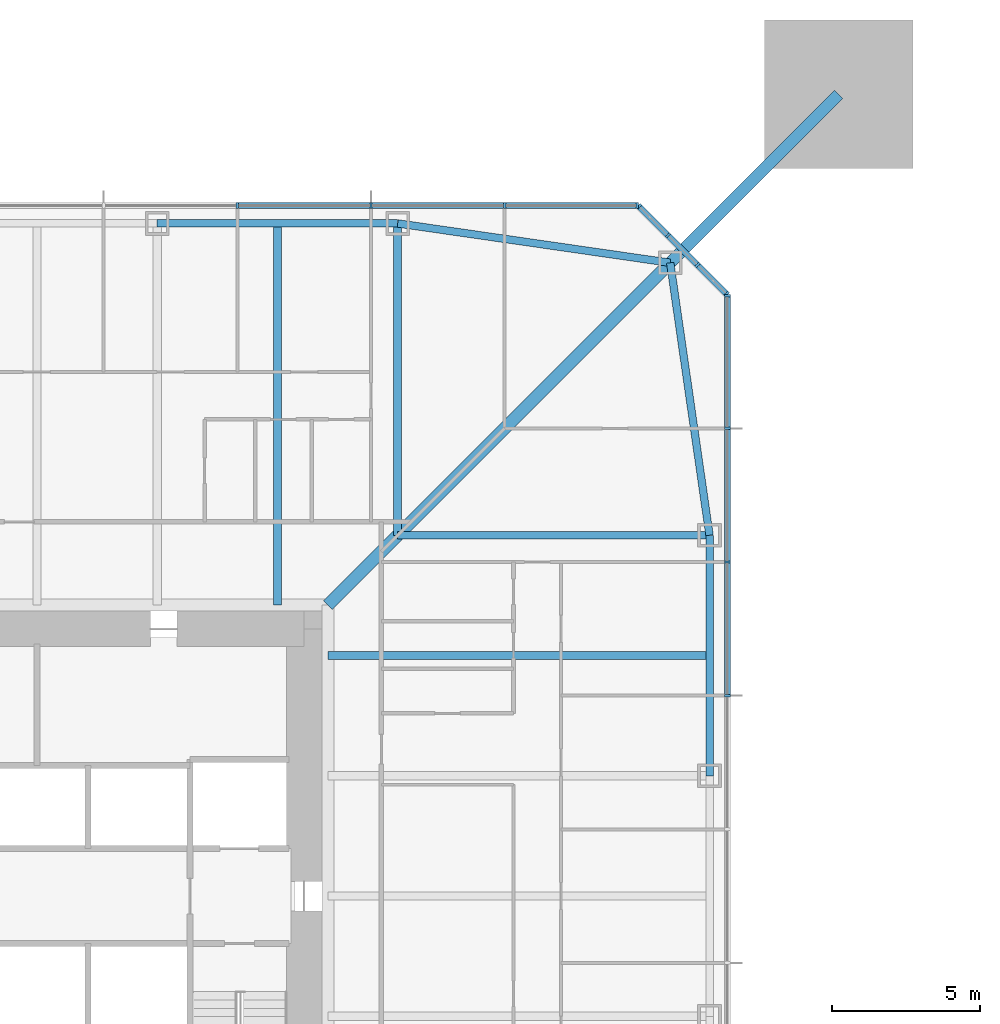
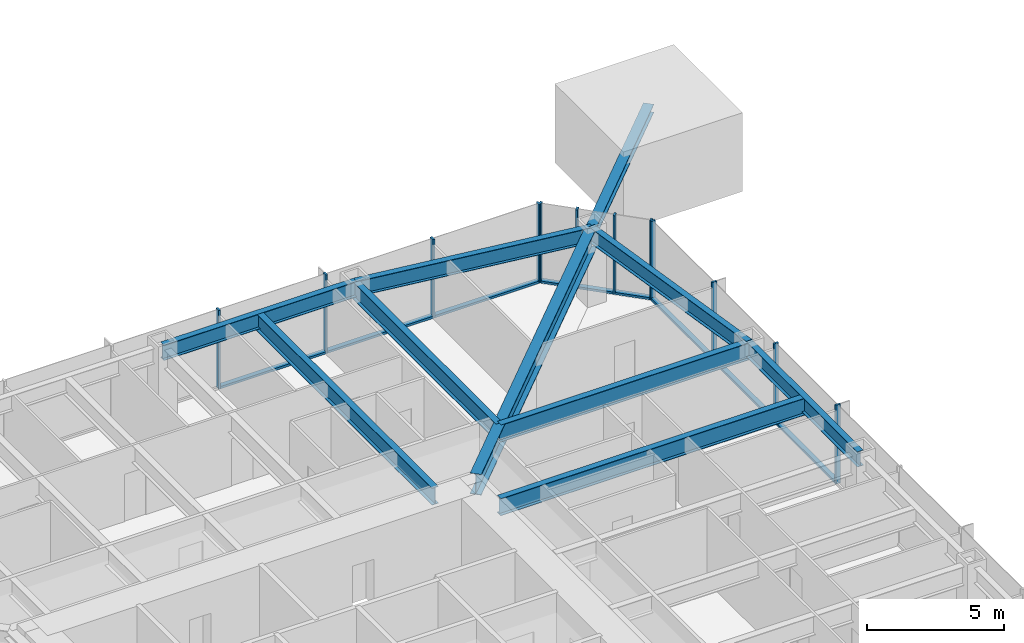
# One storey, part 7 of 26: 22 members, 9 beams, 3 elements without a shape of their own.
"""IFC4 building model written with IfcOpenShell, lengths in metres."""

import ifcopenshell
import ifcopenshell.guid

model = None  # the IFC model being written
_history = None  # IfcOwnerHistory: only IFC2X3 demands one
_inside = {}  # id of a spatial element -> (the spatial element, [elements in it])
_under = {}  # id of a project, library or spatial element -> (it, [spatial elements below it])
_declared = {}  # id of a project -> (the project, [libraries it declares])
_typed = {}  # id of a type object -> (the type object, [elements of that type])
_made_of = {}  # id of a material, layer set ... -> (it, [elements and type objects made of it])


def new_model(schema):
    """Start an empty IFC model of exactly this schema.

    Asked for "IFC4X3", IfcOpenShell would pick the latest addendum, in which some entities
    have other attributes; the version numbers below select the first issue.
    IFC2X3 requires an IfcOwnerHistory on every rooted entity: one is made here for all.
    """
    global model, _history
    if schema == "IFC4X3":
        model = ifcopenshell.file(schema_version=(4, 3, 0, 0))
    else:
        model = ifcopenshell.file(schema=schema)
    _inside.clear()
    _under.clear()
    _declared.clear()
    _typed.clear()
    _made_of.clear()
    _history = None
    if model.schema == "IFC2X3":
        org = make("IfcOrganization", Name="unknown")
        user = make(
            "IfcPersonAndOrganization",
            ThePerson=make("IfcPerson", FamilyName="unknown"),
            TheOrganization=org,
        )
        app = make(
            "IfcApplication",
            ApplicationDeveloper=org,
            Version="unknown",
            ApplicationFullName="unknown",
            ApplicationIdentifier="unknown",
        )
        _history = make(
            "IfcOwnerHistory",
            OwningUser=user,
            OwningApplication=app,
            ChangeAction="ADDED",
            CreationDate=0,
        )
    return model


def make(cls, **values):
    """One entity of the class cls with the attributes given. An attribute that is None is left unset."""
    return model.create_entity(
        cls, **{name: value for name, value in values.items() if value is not None}
    )


def rooted(cls, **values):
    """An entity with a GlobalId (a new one), such as an element, a storey or a relation."""
    return make(cls, GlobalId=ifcopenshell.guid.new(), OwnerHistory=_history, **values)


def si_unit(unit_type, name, prefix=None):
    """IfcSIUnit, for example si_unit("LENGTHUNIT", "METRE", prefix="MILLI")."""
    return make("IfcSIUnit", UnitType=unit_type, Prefix=prefix, Name=name)


def assignment(units):
    """IfcUnitAssignment: the units of a project."""
    return None if units is None else make("IfcUnitAssignment", Units=units)


def point(xyz):
    """IfcCartesianPoint."""
    return None if xyz is None else make("IfcCartesianPoint", Coordinates=xyz)


def direction(xyz):
    """IfcDirection."""
    return None if xyz is None else make("IfcDirection", DirectionRatios=xyz)


def frame(location, z_axis=None, x_axis=None):
    """IfcAxis2Placement3D, a coordinate frame: its origin and axes. An axis left out is left unset."""
    return make(
        "IfcAxis2Placement3D",
        Location=point(location),
        Axis=direction(z_axis),
        RefDirection=direction(x_axis),
    )


def frame_2d(location, x_axis=None):
    """IfcAxis2Placement2D, a coordinate frame in the plane: its origin and x axis."""
    return make(
        "IfcAxis2Placement2D", Location=point(location), RefDirection=direction(x_axis)
    )


def origin():
    """The frame at (0, 0, 0) with its axes left unset."""
    return frame((0.0, 0.0, 0.0))


def origin_2d():
    """The frame at (0, 0) in the plane with its x axis left unset."""
    return frame_2d((0.0, 0.0))


def place(relative_to, where):
    """IfcLocalPlacement: puts the frame where relative to a parent placement (None: the world)."""
    return make(
        "IfcLocalPlacement", PlacementRelTo=relative_to, RelativePlacement=where
    )


def context(
    kind, dimensions, precision=None, world=None, true_north=None, identifier=None
):
    """IfcGeometricRepresentationContext, for example the 3D "Model" context."""
    return make(
        "IfcGeometricRepresentationContext",
        ContextIdentifier=identifier,
        ContextType=kind,
        CoordinateSpaceDimension=dimensions,
        Precision=precision,
        WorldCoordinateSystem=world,
        TrueNorth=true_north,
    )


def subcontext(parent, identifier, kind, view, scale=None):
    """IfcGeometricRepresentationSubContext, for example "Body" below "Model"."""
    return make(
        "IfcGeometricRepresentationSubContext",
        ContextIdentifier=identifier,
        ContextType=kind,
        ParentContext=parent,
        TargetScale=scale,
        TargetView=view,
    )


def project(units=None, contexts=None):
    """IfcProject with its units and contexts."""
    return rooted(
        "IfcProject",
        Name="project",
        RepresentationContexts=contexts,
        UnitsInContext=assignment(units),
    )


def spatial(cls, under=None, at=None, **own):
    """A site, building, storey or space (cls), placed at a placement, below another one or the project."""
    s = rooted(cls, ObjectPlacement=at, **own)
    if under is not None:
        _under.setdefault(under.id(), (under, []))[1].append(s)
    return s


def profile(cls, at=None, kind="AREA", **sizes):
    """A parametric profile (cls). Its sizes go by their IFC names, for example OverallWidth=200.0."""
    return make(cls, ProfileType=kind, Position=at, **sizes)


def rectangle(**sizes):
    """IfcRectangleProfileDef."""
    return profile("IfcRectangleProfileDef", **sizes)


def i_section(**sizes):
    """IfcIShapeProfileDef."""
    return profile("IfcIShapeProfileDef", **sizes)


def extrude(swept, where, along, depth):
    """IfcExtrudedAreaSolid: the profile swept, set in the frame where, extruded along a direction by depth."""
    return make(
        "IfcExtrudedAreaSolid",
        SweptArea=swept,
        Position=where,
        ExtrudedDirection=direction(along),
        Depth=depth,
    )


def shape(context_of_items, identifier, shape_type, items):
    """IfcShapeRepresentation: the items that make up one representation, for example the "Body"."""
    return make(
        "IfcShapeRepresentation",
        ContextOfItems=context_of_items,
        RepresentationIdentifier=identifier,
        RepresentationType=shape_type,
        Items=items,
    )


def material(Name=None, Category=None):
    """IfcMaterial."""
    return make("IfcMaterial", Name=Name, Category=Category)


def material_profile(
    of_material, cross_section, Name=None, Category=None, Priority=None
):
    """IfcMaterialProfile: a cross section and its material."""
    return make(
        "IfcMaterialProfile",
        Name=Name,
        Material=of_material,
        Profile=cross_section,
        Priority=Priority,
        Category=Category,
    )


def profile_set(profiles, Name=None, composite=None):
    """IfcMaterialProfileSet."""
    return make(
        "IfcMaterialProfileSet",
        Name=Name,
        MaterialProfiles=profiles,
        CompositeProfile=composite,
    )


def made_of(thing, what):
    """Note that an element or type object is made of a material, layer set ...; save() writes the relation."""
    if what is not None:
        _made_of.setdefault(what.id(), (what, []))[1].append(thing)
    return thing


def type_object(cls, material=None, **own):
    """A type object (cls), such as IfcWallType, which elements share."""
    return made_of(rooted(cls, **own), material)


def element(
    cls,
    number,
    at=None,
    inside=None,
    cuts=None,
    type_object=None,
    material=None,
    context=None,
    identifier="Body",
    shape_type=None,
    held_by="IfcProductDefinitionShape",
    body=None,
    shapes=None,
    **own,
):
    """One element of the class cls, such as IfcWall. Its Tag is "e" and its number.

    at: its placement. inside: the storey or other place that contains it. cuts: it is an
    opening in that element (IfcRelVoidsElement). A single representation is given by context,
    identifier, shape_type and body (its items); several are given by shapes. held_by: the class
    of the entity that holds the representations. save() writes the other relations.
    """
    e = rooted(cls, Tag="e%d" % number, ObjectPlacement=at, **own)
    if body is not None:
        shapes = [shape(context, identifier, shape_type, body)]
    if shapes is not None:
        e.Representation = make(held_by, Representations=shapes)
    if inside is not None:
        _inside.setdefault(inside.id(), (inside, []))[1].append(e)
    if cuts is not None:
        rooted(
            "IfcRelVoidsElement", RelatingBuildingElement=cuts, RelatedOpeningElement=e
        )
    if type_object is not None:
        _typed.setdefault(type_object.id(), (type_object, []))[1].append(e)
    return made_of(e, material)


def aggregate(whole, parts):
    """IfcRelAggregates: a whole, such as a stair, and the parts it consists of."""
    return rooted("IfcRelAggregates", RelatingObject=whole, RelatedObjects=parts)


def save(model, path):
    """Write the relations noted so far, then the file.

    IfcRelAggregates (storeys below a building ...), IfcRelContainedInSpatialStructure (elements
    in a storey), IfcRelDefinesByType, IfcRelAssociatesMaterial and IfcRelDeclares: one each for
    every whole, place, type object, material and project.
    """
    for whole, parts in _under.values():
        aggregate(whole, parts)
    for where, things in _inside.values():
        rooted(
            "IfcRelContainedInSpatialStructure",
            RelatedElements=things,
            RelatingStructure=where,
        )
    for kind, things in _typed.values():
        rooted("IfcRelDefinesByType", RelatedObjects=things, RelatingType=kind)
    for what, things in _made_of.values():
        rooted("IfcRelAssociatesMaterial", RelatedObjects=things, RelatingMaterial=what)
    for by, libraries in _declared.values():
        rooted("IfcRelDeclares", RelatingContext=by, RelatedDefinitions=libraries)
    model.write(path)


model = new_model("IFC4")

# Units and contexts
model_context = context("Model", 3, precision=1e-05, world=origin(), true_north=direction((0.0, 1.0)))
body_context = subcontext(model_context, "Body", "Model", "MODEL_VIEW")
ifc_project = project(units=[si_unit("LENGTHUNIT", "METRE"), si_unit("AREAUNIT", "SQUARE_METRE"), si_unit("VOLUMEUNIT", "CUBIC_METRE"), si_unit("PLANEANGLEUNIT", "RADIAN"), si_unit("MASSUNIT", "GRAM", prefix="KILO")], contexts=[model_context])

# Site, building, storey
site_placement = place(None, origin())
site = spatial("IfcSite", under=ifc_project, at=site_placement, CompositionType="ELEMENT")
building_placement = place(site_placement, origin())
building = spatial("IfcBuilding", under=site, at=building_placement, Name="Iwan Alto Co-Living Towers", CompositionType="ELEMENT")
storey_placement = place(building_placement, frame((0.0, 0.0, 60.5)))
storey = spatial("IfcBuildingStorey", under=building, at=storey_placement, Name="L16", CompositionType="ELEMENT", Elevation=60.5)

# Curtain wall, members
ifc_material_1 = material(Name="Bronze aluminium unitised frame", Category="aluminium")
curtain_wall_type_1 = type_object("IfcCurtainWallType", Name="CURTAIN WALL CW-A", PredefinedType="NOTDEFINED", material=ifc_material_1)
curtain_wall_1_placement = place(storey_placement, origin())
curtain_wall_1 = element("IfcCurtainWall", 1, at=curtain_wall_1_placement, inside=storey, type_object=curtain_wall_type_1, Name="T1 curtain wall E L16", PredefinedType="NOTDEFINED")
ifc_material_2 = material(Name="Aluminium 6063-T6 bronze anodised", Category="aluminium")
ifc_material_profile_1 = material_profile(ifc_material_2, rectangle(XDim=0.199951171875, YDim=0.080078125, at=origin_2d()), Name="AL 80X200")
ifc_profile_set_1 = profile_set([ifc_material_profile_1], Name="Aluminium 6063-T6 bronze anodised")
member_type_1 = type_object("IfcMemberType", Name="CW-A MULLION 80X200", PredefinedType="MULLION", material=ifc_profile_set_1)
member_1_placement = place(storey_placement, frame((23.25, 6.75, 0.0), z_axis=(0.0, 0.0, 1.0), x_axis=(-1.0, 0.0, 0.0)))
member_1 = element("IfcMember", 2, at=member_1_placement, type_object=member_type_1, Name="CW-A mullion 7", PredefinedType="MULLION", context=body_context, shape_type="SweptSolid", body=[
    extrude(rectangle(XDim=0.199951171875, YDim=0.080078125, at=origin_2d()), origin(), (0.0, 0.0, 1.0), 3.5),
])
member_2_placement = place(storey_placement, frame((23.25, 11.25, 0.0), z_axis=(0.0, 0.0, 1.0), x_axis=(-1.0, 0.0, 0.0)))
member_2 = element("IfcMember", 3, at=member_2_placement, type_object=member_type_1, Name="CW-A mullion 8", PredefinedType="MULLION", context=body_context, shape_type="SweptSolid", body=[
    extrude(rectangle(XDim=0.199951171875, YDim=0.080078125, at=origin_2d()), origin(), (0.0, 0.0, 1.0), 3.5),
])
member_3_placement = place(storey_placement, frame((23.25, 15.75, 0.0), z_axis=(0.0, 0.0, 1.0), x_axis=(-1.0, 0.0, 0.0)))
member_3 = element("IfcMember", 4, at=member_3_placement, type_object=member_type_1, Name="CW-A mullion 9", PredefinedType="MULLION", context=body_context, shape_type="SweptSolid", body=[
    extrude(rectangle(XDim=0.199951171875, YDim=0.080078125, at=origin_2d()), origin(), (0.0, 0.0, 1.0), 3.5),
])
member_4_placement = place(storey_placement, frame((23.25, 20.2099609375, 0.0), z_axis=(0.0, 0.0, 1.0), x_axis=(-1.0, 0.0, 0.0)))
member_4 = element("IfcMember", 5, at=member_4_placement, type_object=member_type_1, Name="CW-A mullion 10", PredefinedType="MULLION", context=body_context, shape_type="SweptSolid", body=[
    extrude(rectangle(XDim=0.199951171875, YDim=0.080078125, at=origin_2d()), origin(), (0.0, 0.0, 1.0), 3.5),
])

curtain_wall_2_placement = place(storey_placement, origin())
curtain_wall_2 = element("IfcCurtainWall", 6, at=curtain_wall_2_placement, inside=storey, type_object=curtain_wall_type_1, Name="T1 curtain wall N L16", PredefinedType="NOTDEFINED")
member_5_placement = place(storey_placement, frame((20.2099609375, 23.25, 0.0), z_axis=(0.0, 0.0, 1.0), x_axis=(0.0, -1.0, 0.0)))
member_5 = element("IfcMember", 7, at=member_5_placement, type_object=member_type_1, Name="CW-A mullion 1", PredefinedType="MULLION", context=body_context, shape_type="SweptSolid", body=[
    extrude(rectangle(XDim=0.199951171875, YDim=0.080078125, at=origin_2d()), origin(), (0.0, 0.0, 1.0), 3.5),
])
member_6_placement = place(storey_placement, frame((15.75, 23.25, 0.0), z_axis=(0.0, 0.0, 1.0), x_axis=(0.0, -1.0, 0.0)))
member_6 = element("IfcMember", 8, at=member_6_placement, type_object=member_type_1, Name="CW-A mullion 2", PredefinedType="MULLION", context=body_context, shape_type="SweptSolid", body=[
    extrude(rectangle(XDim=0.199951171875, YDim=0.080078125, at=origin_2d()), origin(), (0.0, 0.0, 1.0), 3.5),
])
member_7_placement = place(storey_placement, frame((11.25, 23.25, 0.0), z_axis=(0.0, 0.0, 1.0), x_axis=(0.0, -1.0, 0.0)))
member_7 = element("IfcMember", 9, at=member_7_placement, type_object=member_type_1, Name="CW-A mullion 3", PredefinedType="MULLION", context=body_context, shape_type="SweptSolid", body=[
    extrude(rectangle(XDim=0.199951171875, YDim=0.080078125, at=origin_2d()), origin(), (0.0, 0.0, 1.0), 3.5),
])
member_8_placement = place(storey_placement, frame((6.75, 23.25, 0.0), z_axis=(0.0, 0.0, 1.0), x_axis=(0.0, -1.0, 0.0)))
member_8 = element("IfcMember", 10, at=member_8_placement, type_object=member_type_1, Name="CW-A mullion 4", PredefinedType="MULLION", context=body_context, shape_type="SweptSolid", body=[
    extrude(rectangle(XDim=0.199951171875, YDim=0.080078125, at=origin_2d()), origin(), (0.0, 0.0, 1.0), 3.5),
])

# Member
ifc_material_3 = material(Name="Aluminium 6063-T6 bronze anodised", Category="aluminium")
ifc_material_profile_2 = material_profile(ifc_material_3, rectangle(XDim=0.199951171875, YDim=0.10009765625, at=origin_2d()), Name="AL 200X100")
ifc_profile_set_2 = profile_set([ifc_material_profile_2], Name="Aluminium 6063-T6 bronze anodised")
member_type_2 = type_object("IfcMemberType", Name="CW-A TRANSOM 200X100", PredefinedType="USERDEFINED", material=ifc_profile_set_2)
member_9_placement = place(storey_placement, frame((23.25, 6.7900390625, 0.050048828125), z_axis=(0.0, 1.0, 0.0), x_axis=(-1.0, 0.0, 0.0)))
member_9 = element("IfcMember", 11, at=member_9_placement, type_object=member_type_2, Name="CW-A transom 7.1", ObjectType="TRANSOM", PredefinedType="USERDEFINED", context=body_context, shape_type="SweptSolid", body=[
    extrude(rectangle(XDim=0.199951171875, YDim=0.10009765625, at=origin_2d()), origin(), (0.0, 0.0, 1.0), 4.419921875),
])

member_10_placement = place(storey_placement, frame((23.25, 11.2900390625, 0.050048828125), z_axis=(0.0, 1.0, 0.0), x_axis=(-1.0, 0.0, 0.0)))
member_10 = element("IfcMember", 12, at=member_10_placement, type_object=member_type_2, Name="CW-A transom 8.1", ObjectType="TRANSOM", PredefinedType="USERDEFINED", context=body_context, shape_type="SweptSolid", body=[
    extrude(rectangle(XDim=0.199951171875, YDim=0.10009765625, at=origin_2d()), origin(), (0.0, 0.0, 1.0), 4.419921875),
])

member_11_placement = place(storey_placement, frame((23.25, 15.7900390625, 0.050048828125), z_axis=(0.0, 1.0, 0.0), x_axis=(-1.0, 0.0, 0.0)))
member_11 = element("IfcMember", 13, at=member_11_placement, type_object=member_type_2, Name="CW-A transom 9.1", ObjectType="TRANSOM", PredefinedType="USERDEFINED", context=body_context, shape_type="SweptSolid", body=[
    extrude(rectangle(XDim=0.199951171875, YDim=0.10009765625, at=origin_2d()), origin(), (0.0, 0.0, 1.0), 4.3798828125),
])

aggregate(curtain_wall_1, [member_1, member_2, member_3, member_4, member_9, member_10, member_11])

member_12_placement = place(storey_placement, frame((20.169921875, 23.25, 0.050048828125), z_axis=(-1.0, 0.0, 0.0), x_axis=(0.0, -1.0, 0.0)))
member_12 = element("IfcMember", 14, at=member_12_placement, type_object=member_type_2, Name="CW-A transom 1.1", ObjectType="TRANSOM", PredefinedType="USERDEFINED", context=body_context, shape_type="SweptSolid", body=[
    extrude(rectangle(XDim=0.199951171875, YDim=0.10009765625, at=origin_2d()), origin(), (0.0, 0.0, 1.0), 4.3798828125),
])

member_13_placement = place(storey_placement, frame((15.7099609375, 23.25, 0.050048828125), z_axis=(-1.0, 0.0, 0.0), x_axis=(0.0, -1.0, 0.0)))
member_13 = element("IfcMember", 15, at=member_13_placement, type_object=member_type_2, Name="CW-A transom 2.1", ObjectType="TRANSOM", PredefinedType="USERDEFINED", context=body_context, shape_type="SweptSolid", body=[
    extrude(rectangle(XDim=0.199951171875, YDim=0.10009765625, at=origin_2d()), origin(), (0.0, 0.0, 1.0), 4.419921875),
])

member_14_placement = place(storey_placement, frame((11.2099609375, 23.25, 0.050048828125), z_axis=(-1.0, 0.0, 0.0), x_axis=(0.0, -1.0, 0.0)))
member_14 = element("IfcMember", 16, at=member_14_placement, type_object=member_type_2, Name="CW-A transom 3.1", ObjectType="TRANSOM", PredefinedType="USERDEFINED", context=body_context, shape_type="SweptSolid", body=[
    extrude(rectangle(XDim=0.199951171875, YDim=0.10009765625, at=origin_2d()), origin(), (0.0, 0.0, 1.0), 4.419921875),
])

aggregate(curtain_wall_2, [member_5, member_6, member_7, member_8, member_12, member_13, member_14])

# Curtain wall, members
ifc_material_4 = material(Name="Bronze aluminium unitised frame", Category="aluminium")
curtain_wall_type_2 = type_object("IfcCurtainWallType", Name="CURTAIN WALL CW-B", PredefinedType="NOTDEFINED", material=ifc_material_4)
curtain_wall_3_placement = place(storey_placement, origin())
curtain_wall_3 = element("IfcCurtainWall", 17, at=curtain_wall_3_placement, inside=storey, type_object=curtain_wall_type_2, Name="T1 chamfer curtain wall NE L16", PredefinedType="NOTDEFINED")
ifc_material_5 = material(Name="Aluminium 6063-T6 bronze anodised", Category="aluminium")
ifc_material_profile_3 = material_profile(ifc_material_5, rectangle(XDim=0.199951171875, YDim=0.080078125, at=origin_2d()), Name="AL 80X200")
ifc_profile_set_3 = profile_set([ifc_material_profile_3], Name="Aluminium 6063-T6 bronze anodised")
member_type_3 = type_object("IfcMemberType", Name="CW-B MULLION 80X200", PredefinedType="MULLION", material=ifc_profile_set_3)
member_15_placement = place(storey_placement, frame((23.2216796875, 20.2783203125, 0.0), z_axis=(0.0, 0.0, 1.0), x_axis=(-0.707106781187, -0.707106781187, 0.0)))
member_15 = element("IfcMember", 18, at=member_15_placement, type_object=member_type_3, Name="CW-B mullion 1", PredefinedType="MULLION", context=body_context, shape_type="SweptSolid", body=[
    extrude(rectangle(XDim=0.199951171875, YDim=0.080078125, at=origin_2d()), origin(), (0.0, 0.0, 1.0), 3.5),
])
member_16_placement = place(storey_placement, frame((22.25, 21.25, 0.0), z_axis=(0.0, 0.0, 1.0), x_axis=(-0.707106781187, -0.707106781187, 0.0)))
member_16 = element("IfcMember", 19, at=member_16_placement, type_object=member_type_3, Name="CW-B mullion 2", PredefinedType="MULLION", context=body_context, shape_type="SweptSolid", body=[
    extrude(rectangle(XDim=0.199951171875, YDim=0.080078125, at=origin_2d()), origin(), (0.0, 0.0, 1.0), 3.5),
])
member_17_placement = place(storey_placement, frame((21.25, 22.25, 0.0), z_axis=(0.0, 0.0, 1.0), x_axis=(-0.707106781187, -0.707106781187, 0.0)))
member_17 = element("IfcMember", 20, at=member_17_placement, type_object=member_type_3, Name="CW-B mullion 3", PredefinedType="MULLION", context=body_context, shape_type="SweptSolid", body=[
    extrude(rectangle(XDim=0.199951171875, YDim=0.080078125, at=origin_2d()), origin(), (0.0, 0.0, 1.0), 3.5),
])
member_18_placement = place(storey_placement, frame((20.2783203125, 23.2216796875, 0.0), z_axis=(0.0, 0.0, 1.0), x_axis=(-0.707106781187, -0.707106781187, 0.0)))
member_18 = element("IfcMember", 21, at=member_18_placement, type_object=member_type_3, Name="CW-B mullion 4", PredefinedType="MULLION", context=body_context, shape_type="SweptSolid", body=[
    extrude(rectangle(XDim=0.199951171875, YDim=0.080078125, at=origin_2d()), origin(), (0.0, 0.0, 1.0), 3.5),
])
ifc_material_6 = material(Name="Aluminium 6063-T6 bronze anodised", Category="aluminium")
ifc_material_profile_4 = material_profile(ifc_material_6, rectangle(XDim=0.199951171875, YDim=0.10009765625, at=origin_2d()), Name="AL 200X100")
ifc_profile_set_4 = profile_set([ifc_material_profile_4], Name="Aluminium 6063-T6 bronze anodised")
member_type_4 = type_object("IfcMemberType", Name="CW-B TRANSOM 200X100", PredefinedType="USERDEFINED", material=ifc_profile_set_4)
member_19_placement = place(storey_placement, frame((23.193359375, 20.306640625, 0.050048828125), z_axis=(-0.707106781187, 0.707106781187, 0.0), x_axis=(-0.707106781187, -0.707106781187, 0.0)))
member_19 = element("IfcMember", 22, at=member_19_placement, type_object=member_type_4, Name="CW-B transom 1.1", ObjectType="TRANSOM", PredefinedType="USERDEFINED", context=body_context, shape_type="SweptSolid", body=[
    extrude(rectangle(XDim=0.199951171875, YDim=0.10009765625, at=origin_2d()), origin(), (0.0, 0.0, 1.0), 1.2939453125),
])
member_20_placement = place(storey_placement, frame((22.2216796875, 21.2783203125, 0.050048828125), z_axis=(-0.707106781187, 0.707106781187, 0.0), x_axis=(-0.707106781187, -0.707106781187, 0.0)))
member_20 = element("IfcMember", 23, at=member_20_placement, type_object=member_type_4, Name="CW-B transom 2.1", ObjectType="TRANSOM", PredefinedType="USERDEFINED", context=body_context, shape_type="SweptSolid", body=[
    extrude(rectangle(XDim=0.199951171875, YDim=0.10009765625, at=origin_2d()), origin(), (0.0, 0.0, 1.0), 1.334228515625),
])
member_21_placement = place(storey_placement, frame((21.2216796875, 22.2783203125, 0.050048828125), z_axis=(-0.707106781187, 0.707106781187, 0.0), x_axis=(-0.707106781187, -0.707106781187, 0.0)))
member_21 = element("IfcMember", 24, at=member_21_placement, type_object=member_type_4, Name="CW-B transom 3.1", ObjectType="TRANSOM", PredefinedType="USERDEFINED", context=body_context, shape_type="SweptSolid", body=[
    extrude(rectangle(XDim=0.199951171875, YDim=0.10009765625, at=origin_2d()), origin(), (0.0, 0.0, 1.0), 1.2939453125),
])
aggregate(curtain_wall_3, [member_15, member_16, member_17, member_18, member_19, member_20, member_21])

# Beams
ifc_material_7 = material(Name="Steel ASTM A992 Gr 50", Category="steel")
ifc_material_profile_5 = material_profile(ifc_material_7, i_section(OverallWidth=0.419189453125, OverallDepth=0.927001953125, WebThickness=0.019287109375, FlangeThickness=0.031982421875, at=origin_2d()), Name="W36X231")
ifc_profile_set_5 = profile_set([ifc_material_profile_5], Name="Steel ASTM A992 Gr 50")
beam_type_1 = type_object("IfcBeamType", Name="T1 CORNER GIRDER W36X231", PredefinedType="BEAM", material=ifc_profile_set_5)
beam_1_placement = place(storey_placement, frame((21.32568359375, 21.32568359375, 2.806396484375), z_axis=(-0.707106781187, -0.707106781187, 0.0), x_axis=(0.707106781187, -0.707106781187, 0.0)))
element("IfcBeam", 25, at=beam_1_placement, inside=storey, type_object=beam_type_1, Name="T1 corner girder CNE L17", PredefinedType="BEAM", context=body_context, shape_type="SweptSolid", body=[
    extrude(i_section(OverallWidth=0.419189453125, OverallDepth=0.927001953125, WebThickness=0.019287109375, FlangeThickness=0.031982421875, at=origin_2d()), origin(), (0.0, 0.0, 1.0), 16.30078125),
])
ifc_material_8 = material(Name="Steel ASTM A992 Gr 50", Category="steel")
ifc_material_profile_6 = material_profile(ifc_material_8, i_section(OverallWidth=0.25390625, OverallDepth=0.683349609375, WebThickness=0.012451171875, FlangeThickness=0.018798828125, at=origin_2d()), Name="W27X94")
ifc_profile_set_6 = profile_set([ifc_material_profile_6], Name="Steel ASTM A992 Gr 50")
beam_type_2 = type_object("IfcBeamType", Name="T1 EDGE BEAM W27X94", PredefinedType="BEAM", material=ifc_profile_set_6)
beam_2_placement = place(storey_placement, frame((22.64990234375, 4.050048828125, 2.928466796875), z_axis=(0.0, 1.0, 0.0), x_axis=(-1.0, 0.0, 0.0)))
element("IfcBeam", 26, at=beam_2_placement, inside=storey, type_object=beam_type_2, Name="T1 edge beam E3 L17", PredefinedType="BEAM", context=body_context, shape_type="SweptSolid", body=[
    extrude(i_section(OverallWidth=0.25390625, OverallDepth=0.683349609375, WebThickness=0.012451171875, FlangeThickness=0.018798828125, at=origin_2d()), origin(), (0.0, 0.0, 1.0), 8.099853515625),
])
for number, where, z_axis, x_axis, name in (
    (27, (22.64990234375, 12.14990234375, 2.928466796875), (-0.142836940589, 0.989746234347, 0.0), (-0.989746234347, -0.142836940589, 0.0), "T1 edge beam E4 L17"),
    (28, (21.32568359375, 21.32568359375, 2.928466796875), (-0.989746234347, 0.142836940589, 0.0), (-0.142836940589, -0.989746234347, 0.0), "T1 edge beam CNE L17"),
):
    element("IfcBeam", number, at=place(storey_placement, frame(where, z_axis=z_axis, x_axis=x_axis)), inside=storey, type_object=beam_type_2, Name=name, PredefinedType="BEAM", context=body_context, shape_type="SweptSolid", body=[
        extrude(i_section(OverallWidth=0.25390625, OverallDepth=0.683349609375, WebThickness=0.012451171875, FlangeThickness=0.018798828125, at=origin_2d()), origin(), (0.0, 0.0, 1.0), 9.270751953125),
    ])
beam_3_placement = place(storey_placement, frame((12.14990234375, 22.64990234375, 2.928466796875), z_axis=(-1.0, 0.0, 0.0), x_axis=(0.0, -1.0, 0.0)))
element("IfcBeam", 29, at=beam_3_placement, inside=storey, type_object=beam_type_2, Name="T1 edge beam N1 L17", PredefinedType="BEAM", context=body_context, shape_type="SweptSolid", body=[
    extrude(i_section(OverallWidth=0.25390625, OverallDepth=0.683349609375, WebThickness=0.012451171875, FlangeThickness=0.018798828125, at=origin_2d()), origin(), (0.0, 0.0, 1.0), 8.099853515625),
])

# Member
ifc_material_9 = material(Name="Steel ASTM A992 Gr 50", Category="steel")
ifc_material_profile_7 = material_profile(ifc_material_9, i_section(OverallWidth=0.393798828125, OverallDepth=0.3759765625, WebThickness=0.017333984375, FlangeThickness=0.027587890625, at=origin_2d()), Name="W14X145")
ifc_profile_set_7 = profile_set([ifc_material_profile_7], Name="Steel ASTM A992 Gr 50")
member_type_5 = type_object("IfcMemberType", Name="T1 MEGA COLUMN FLOOR TIE W14X145", PredefinedType="STRUT", material=ifc_profile_set_7)
member_22_placement = place(storey_placement, frame((27.0, 27.0, 3.08203125), z_axis=(-0.707106781187, -0.707106781187, 0.0), x_axis=(0.707106781187, -0.707106781187, 0.0)))
element("IfcMember", 30, at=member_22_placement, inside=storey, type_object=member_type_5, Name="T1 mega column floor tie NE L17", PredefinedType="STRUT", context=body_context, shape_type="SweptSolid", body=[
    extrude(i_section(OverallWidth=0.393798828125, OverallDepth=0.3759765625, WebThickness=0.017333984375, FlangeThickness=0.027587890625, at=origin_2d()), origin(), (0.0, 0.0, 1.0), 8.024658203125),
])

# Beams
ifc_material_10 = material(Name="Steel ASTM A992 Gr 50", Category="steel")
ifc_material_profile_8 = material_profile(ifc_material_10, i_section(OverallWidth=0.2666015625, OverallDepth=0.761962890625, WebThickness=0.014404296875, FlangeThickness=0.021484375, at=origin_2d()), Name="W30X116")
ifc_profile_set_8 = profile_set([ifc_material_profile_8], Name="Steel ASTM A992 Gr 50")
beam_type_3 = type_object("IfcBeamType", Name="T1 RADIAL BEAM W30X116", PredefinedType="BEAM", material=ifc_profile_set_8)
for number, where, z_axis, x_axis, name in (
    (31, (22.64990234375, 12.14990234375, 2.888916015625), (-1.0, 0.0, 0.0), (0.0, -1.0, 0.0), "T1 radial beam E4 L17"),
    (32, (12.14990234375, 22.64990234375, 2.888916015625), (0.0, -1.0, 0.0), (1.0, 0.0, 0.0), "T1 radial beam N1 L17"),
):
    element("IfcBeam", number, at=place(storey_placement, frame(where, z_axis=z_axis, x_axis=x_axis)), inside=storey, type_object=beam_type_3, Name=name, PredefinedType="BEAM", context=body_context, shape_type="SweptSolid", body=[
        extrude(i_section(OverallWidth=0.2666015625, OverallDepth=0.761962890625, WebThickness=0.014404296875, FlangeThickness=0.021484375, at=origin_2d()), origin(), (0.0, 0.0, 1.0), 10.5),
    ])
ifc_material_11 = material(Name="Steel ASTM A992 Gr 50", Category="steel")
ifc_material_profile_9 = material_profile(ifc_material_11, i_section(OverallWidth=0.2666015625, OverallDepth=0.761962890625, WebThickness=0.014404296875, FlangeThickness=0.021484375, at=origin_2d()), Name="W30X116")
ifc_profile_set_9 = profile_set([ifc_material_profile_9], Name="Steel ASTM A992 Gr 50")
beam_type_4 = type_object("IfcBeamType", Name="T1 SECONDARY BEAM W30X116", PredefinedType="JOIST", material=ifc_profile_set_9)
for number, where, z_axis, x_axis, name in (
    (33, (22.64990234375, 8.10009765625, 2.888916015625), (-1.0, 0.0, 0.0), (0.0, -1.0, 0.0), "T1 secondary beam E3 L17"),
    (34, (8.10009765625, 22.64990234375, 2.888916015625), (0.0, -1.0, 0.0), (1.0, 0.0, 0.0), "T1 secondary beam N1 L17"),
):
    element("IfcBeam", number, at=place(storey_placement, frame(where, z_axis=z_axis, x_axis=x_axis)), inside=storey, type_object=beam_type_4, Name=name, PredefinedType="JOIST", context=body_context, shape_type="SweptSolid", body=[
        extrude(i_section(OverallWidth=0.2666015625, OverallDepth=0.761962890625, WebThickness=0.014404296875, FlangeThickness=0.021484375, at=origin_2d()), origin(), (0.0, 0.0, 1.0), 12.8505859375),
    ])

save(model, "model.ifc")
